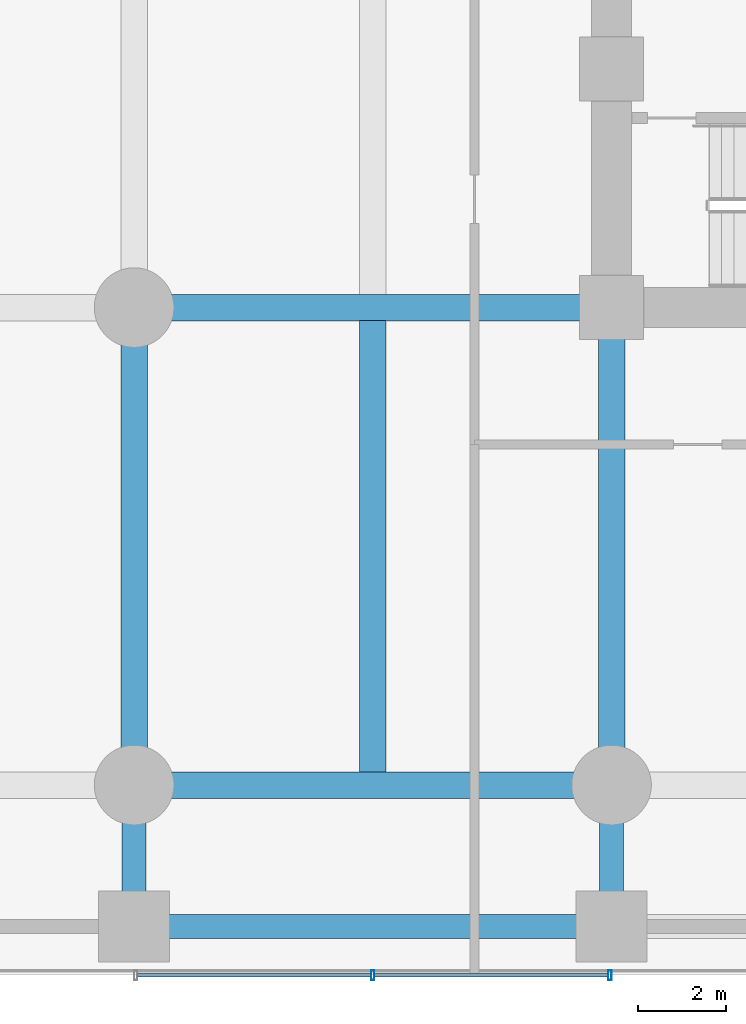
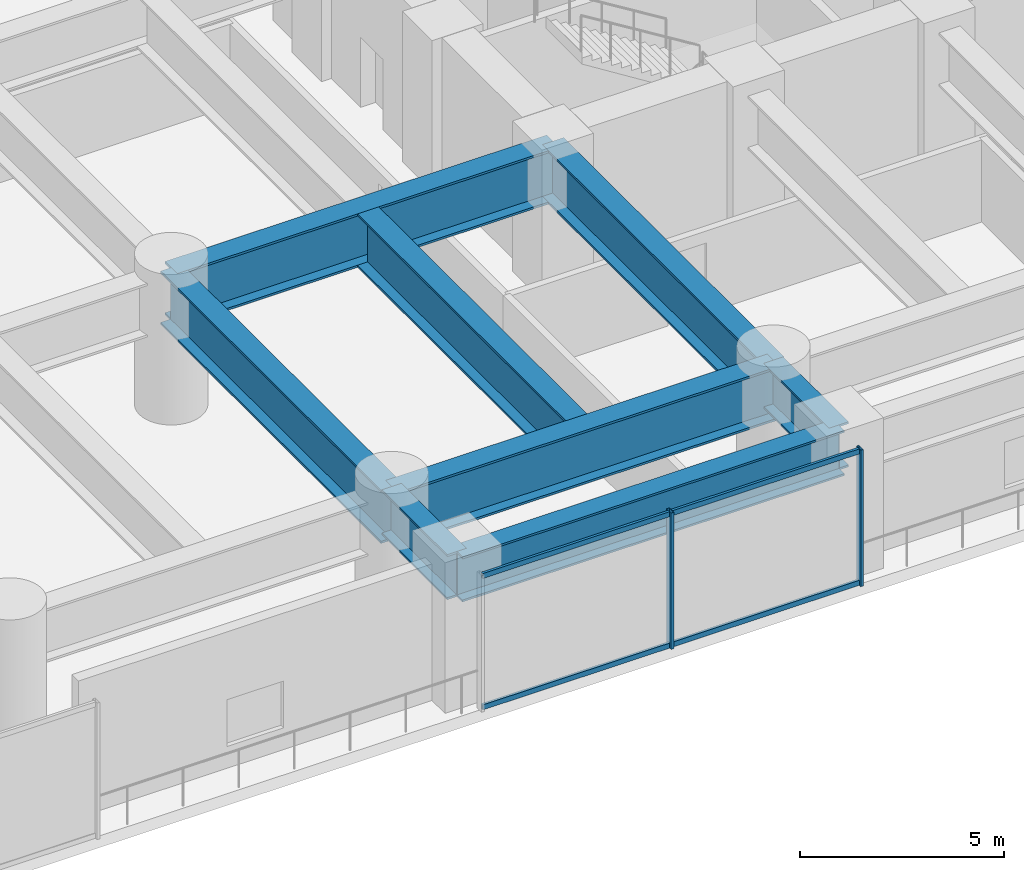
# One storey, part 5 of 37: 8 beams, 6 members, 1 element without a shape of its own.
"""IFC4 building model written with IfcOpenShell, lengths in metres."""

from ifc_helpers import new_model, si_unit, direction, frame, origin, origin_2d, place, context, subcontext, project, spatial, hollow_rectangle, i_section, extrude, material, layer, layer_set, material_profile, profile_set, type_object, element, aggregate, save


model = new_model("IFC4")

# Units and contexts
model_context = context("Model", 3, precision=1e-05, world=origin(), true_north=direction((0.0, 1.0)))
body_context = subcontext(model_context, "Body", "Model", "MODEL_VIEW")
ifc_project = project(units=[si_unit("LENGTHUNIT", "METRE"), si_unit("AREAUNIT", "SQUARE_METRE"), si_unit("VOLUMEUNIT", "CUBIC_METRE"), si_unit("PLANEANGLEUNIT", "RADIAN"), si_unit("MASSUNIT", "GRAM", prefix="KILO")], contexts=[model_context])

# Site, building, storey
site_placement = place(None, origin())
site = spatial("IfcSite", under=ifc_project, at=site_placement, CompositionType="ELEMENT")
building_placement = place(site_placement, origin())
building = spatial("IfcBuilding", under=site, at=building_placement, Name="Surkhivell Harbour Commons", CompositionType="ELEMENT")
storey_placement = place(building_placement, frame((0.0, 0.0, 18.0)))
storey = spatial("IfcBuildingStorey", under=building, at=storey_placement, Name="L04", CompositionType="ELEMENT", Elevation=18.0)

# Beams
ifc_material_1 = material(Name="Steel S460", Category="steel")
ifc_material_profile_1 = material_profile(ifc_material_1, i_section(OverallWidth=0.550048828125, OverallDepth=1.35009765625, WebThickness=0.031982421875, FlangeThickness=0.06005859375, at=origin_2d()), Name="WPG1350x550x248")
ifc_profile_set_1 = profile_set([ifc_material_profile_1], Name="Steel S460")
beam_type_1 = type_object("IfcBeamType", Name="BM-TRF-1350", PredefinedType="BEAM", material=ifc_profile_set_1)
beam_1_placement = place(storey_placement, frame((-21.60009765625, -24.800048828125, 3.405029296875), z_axis=(0.0, 1.0, 0.0), x_axis=(-1.0, 0.0, 0.0)))
element("IfcBeam", 1, at=beam_1_placement, inside=storey, type_object=beam_type_1, Name="L04 Transfer Girder (-21.6,-24.8)", PredefinedType="BEAM", context=body_context, shape_type="SweptSolid", body=[
    extrude(i_section(OverallWidth=0.550048828125, OverallDepth=1.35009765625, WebThickness=0.031982421875, FlangeThickness=0.06005859375, at=origin_2d()), origin(), (0.0, 0.0, 1.0), 3.199951171875),
])
beam_2_placement = place(storey_placement, frame((-21.60009765625, -24.800048828125, 3.405029296875), z_axis=(1.0, 0.0, 0.0), x_axis=(0.0, 1.0, 0.0)))
element("IfcBeam", 2, at=beam_2_placement, inside=storey, type_object=beam_type_1, Name="L04 Transfer Girder (-21.6,-24.8)", PredefinedType="BEAM", context=body_context, shape_type="SweptSolid", body=[
    extrude(i_section(OverallWidth=0.550048828125, OverallDepth=1.35009765625, WebThickness=0.031982421875, FlangeThickness=0.06005859375, at=origin_2d()), origin(), (0.0, 0.0, 1.0), 10.800048828125),
])
beam_3_placement = place(storey_placement, frame((-10.800048828125, -24.800048828125, 3.405029296875), z_axis=(0.0, 1.0, 0.0), x_axis=(-1.0, 0.0, 0.0)))
element("IfcBeam", 3, at=beam_3_placement, inside=storey, type_object=beam_type_1, Name="L04 Transfer Girder (-10.8,-24.8)", PredefinedType="BEAM", context=body_context, shape_type="SweptSolid", body=[
    extrude(i_section(OverallWidth=0.550048828125, OverallDepth=1.35009765625, WebThickness=0.031982421875, FlangeThickness=0.06005859375, at=origin_2d()), origin(), (0.0, 0.0, 1.0), 3.199951171875),
])
ifc_material_profile_2 = material_profile(ifc_material_1, i_section(OverallWidth=0.60009765625, OverallDepth=1.60009765625, WebThickness=0.035888671875, FlangeThickness=0.06494140625, at=origin_2d()), Name="WPG1600x600x296")
ifc_profile_set_2 = profile_set([ifc_material_profile_2], Name="Steel S460")
beam_type_2 = type_object("IfcBeamType", Name="BM-TRF-1600", PredefinedType="BEAM", material=ifc_profile_set_2)
for number, where, z_axis, x_axis, name in (
    (4, (-21.60009765625, -21.60009765625, 3.280029296875), (0.0, 1.0, 0.0), (-1.0, 0.0, 0.0), "L04 Transfer Girder (-21.6,-21.6)"),
    (5, (-21.60009765625, -21.60009765625, 3.280029296875), (1.0, 0.0, 0.0), (0.0, 1.0, 0.0), "L04 Transfer Girder (-21.6,-21.6)"),
    (6, (-21.60009765625, -10.800048828125, 3.280029296875), (1.0, 0.0, 0.0), (0.0, 1.0, 0.0), "L04 Transfer Girder (-21.6,-10.8)"),
    (7, (-10.800048828125, -21.60009765625, 3.280029296875), (0.0, 1.0, 0.0), (-1.0, 0.0, 0.0), "L04 Transfer Girder (-10.8,-21.6)"),
):
    element("IfcBeam", number, at=place(storey_placement, frame(where, z_axis=z_axis, x_axis=x_axis)), inside=storey, type_object=beam_type_2, Name=name, PredefinedType="BEAM", context=body_context, shape_type="SweptSolid", body=[
        extrude(i_section(OverallWidth=0.60009765625, OverallDepth=1.60009765625, WebThickness=0.035888671875, FlangeThickness=0.06494140625, at=origin_2d()), origin(), (0.0, 0.0, 1.0), 10.800048828125),
    ])
beam_4_placement = place(storey_placement, frame((-16.199951171875, -21.302001953125, 3.280029296875), z_axis=(0.0, 1.0, 0.0), x_axis=(-1.0, 0.0, 0.0)))
element("IfcBeam", 8, at=beam_4_placement, inside=storey, type_object=beam_type_2, Name="L04 Secondary Transfer Girder (-16.2,-21.6)", PredefinedType="BEAM", context=body_context, shape_type="SweptSolid", body=[
    extrude(i_section(OverallWidth=0.60009765625, OverallDepth=1.60009765625, WebThickness=0.035888671875, FlangeThickness=0.06494140625, at=origin_2d()), origin(), (0.0, 0.0, 1.0), 10.2041015625),
])

# Curtain wall, members
ifc_material_2 = material(Name="Anodised pale-metal aluminium and insulated glazing", Category="aluminium")
ifc_layer = layer(ifc_material_2, 0.239990234375)
ifc_layer_set = layer_set([ifc_layer], Name="Anodised pale-metal aluminium and insulated glazing")
curtain_wall_type = type_object("IfcCurtainWallType", Name="CW-SYS-POD", PredefinedType="NOTDEFINED", material=ifc_layer_set)
curtain_wall_placement = place(storey_placement, origin())
curtain_wall = element("IfcCurtainWall", 9, at=curtain_wall_placement, inside=storey, type_object=curtain_wall_type, Name="L04 Curtain Wall CW-L04-S3", PredefinedType="NOTDEFINED")
ifc_material_3 = material(Name="Anodised pale-metal aluminium alloy 6063-T6", Category="aluminium")
ifc_material_profile_3 = material_profile(ifc_material_3, hollow_rectangle(XDim=0.074951171875, YDim=0.219970703125, WallThickness=0.00390625, at=origin_2d()), Name="ALU-MULL-75x220")
ifc_profile_set_3 = profile_set([ifc_material_profile_3], Name="Anodised pale-metal aluminium alloy 6063-T6")
member_type_1 = type_object("IfcMemberType", Name="CWM-220", PredefinedType="MULLION", material=ifc_profile_set_3)
member_1_placement = place(storey_placement, frame((-10.83740234375, -25.89990234375, 0.0), z_axis=(0.0, 0.0, 1.0), x_axis=(-1.0, 0.0, 0.0)))
member_1 = element("IfcMember", 10, at=member_1_placement, type_object=member_type_1, Name="CW-POD mullion 1", PredefinedType="MULLION", context=body_context, shape_type="SweptSolid", body=[
    extrude(hollow_rectangle(XDim=0.074951171875, YDim=0.219970703125, WallThickness=0.00390625, at=origin_2d()), origin(), (0.0, 0.0, 1.0), 4.080078125),
])
member_2_placement = place(storey_placement, frame((-16.199951171875, -25.89990234375, 0.0), z_axis=(0.0, 0.0, 1.0), x_axis=(-1.0, 0.0, 0.0)))
member_2 = element("IfcMember", 11, at=member_2_placement, type_object=member_type_1, Name="CW-POD mullion 2", PredefinedType="MULLION", context=body_context, shape_type="SweptSolid", body=[
    extrude(hollow_rectangle(XDim=0.074951171875, YDim=0.219970703125, WallThickness=0.00390625, at=origin_2d()), origin(), (0.0, 0.0, 1.0), 4.080078125),
])
ifc_material_profile_4 = material_profile(ifc_material_3, hollow_rectangle(XDim=0.074951171875, YDim=0.14990234375, WallThickness=0.00341796875, at=origin_2d()), Name="ALU-TRAN-75x150")
ifc_profile_set_4 = profile_set([ifc_material_profile_4], Name="Anodised pale-metal aluminium alloy 6063-T6")
member_type_2 = type_object("IfcMemberType", Name="CWT-150", PredefinedType="USERDEFINED", material=ifc_profile_set_4)
member_3_placement = place(storey_placement, frame((-10.875, -25.89990234375, 0.074951171875), z_axis=(-1.0, 0.0, 0.0), x_axis=(0.0, -1.0, 0.0)))
member_3 = element("IfcMember", 12, at=member_3_placement, type_object=member_type_2, Name="CW-POD transom 1.1", ObjectType="TRANSOM", PredefinedType="USERDEFINED", context=body_context, shape_type="SweptSolid", body=[
    extrude(hollow_rectangle(XDim=0.074951171875, YDim=0.14990234375, WallThickness=0.00341796875, at=origin_2d()), origin(), (0.0, 0.0, 1.0), 5.28759765625),
])
member_4_placement = place(storey_placement, frame((-10.875, -25.89990234375, 4.0048828125), z_axis=(-1.0, 0.0, 0.0), x_axis=(0.0, -1.0, 0.0)))
member_4 = element("IfcMember", 13, at=member_4_placement, type_object=member_type_2, Name="CW-POD transom 1.2", ObjectType="TRANSOM", PredefinedType="USERDEFINED", context=body_context, shape_type="SweptSolid", body=[
    extrude(hollow_rectangle(XDim=0.074951171875, YDim=0.14990234375, WallThickness=0.00341796875, at=origin_2d()), origin(), (0.0, 0.0, 1.0), 5.28759765625),
])
member_5_placement = place(storey_placement, frame((-16.237548828125, -25.89990234375, 0.074951171875), z_axis=(-1.0, 0.0, 0.0), x_axis=(0.0, -1.0, 0.0)))
member_5 = element("IfcMember", 14, at=member_5_placement, type_object=member_type_2, Name="CW-POD transom 2.1", ObjectType="TRANSOM", PredefinedType="USERDEFINED", context=body_context, shape_type="SweptSolid", body=[
    extrude(hollow_rectangle(XDim=0.074951171875, YDim=0.14990234375, WallThickness=0.00341796875, at=origin_2d()), origin(), (0.0, 0.0, 1.0), 5.287353515625),
])
member_6_placement = place(storey_placement, frame((-16.237548828125, -25.89990234375, 4.0048828125), z_axis=(-1.0, 0.0, 0.0), x_axis=(0.0, -1.0, 0.0)))
member_6 = element("IfcMember", 15, at=member_6_placement, type_object=member_type_2, Name="CW-POD transom 2.2", ObjectType="TRANSOM", PredefinedType="USERDEFINED", context=body_context, shape_type="SweptSolid", body=[
    extrude(hollow_rectangle(XDim=0.074951171875, YDim=0.14990234375, WallThickness=0.00341796875, at=origin_2d()), origin(), (0.0, 0.0, 1.0), 5.287353515625),
])
aggregate(curtain_wall, [member_1, member_2, member_3, member_4, member_5, member_6])

save(model, "model.ifc")
